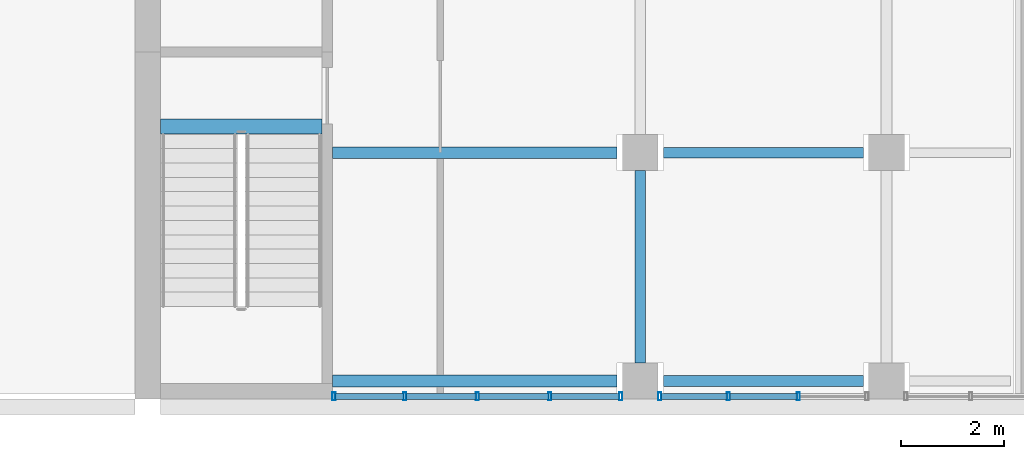
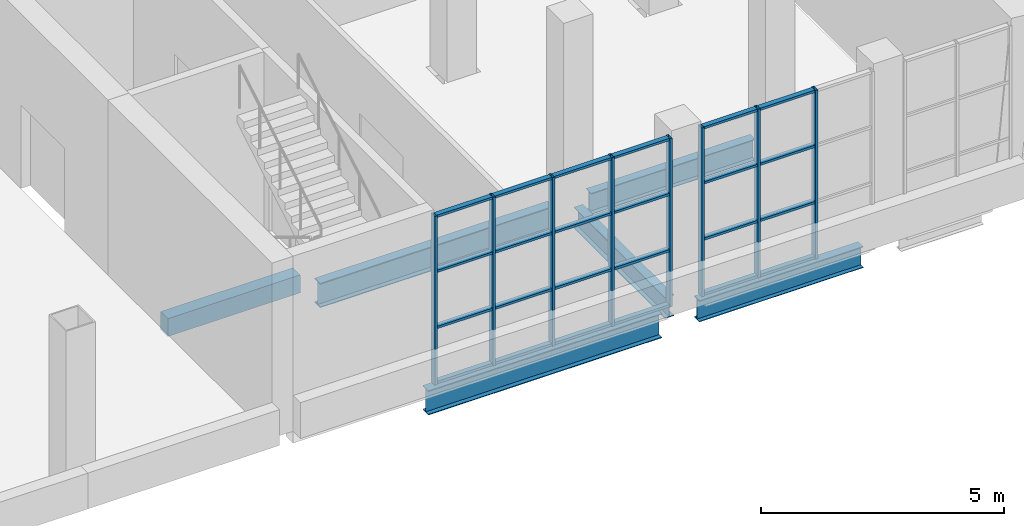
# One storey, part 10 of 32: 32 members, 6 beams, 2 elements without a shape of their own.
"""IFC4 building model written with IfcOpenShell, lengths in metres."""

from ifc_helpers import new_model, si_unit, direction, frame, origin, origin_2d, place, context, subcontext, project, spatial, rectangle, hollow_rectangle, i_section, extrude, material, layer, layer_set, material_profile, profile_set, type_object, element, aggregate, save


model = new_model("IFC4")

# Units and contexts
model_context = context("Model", 3, precision=1e-05, world=origin(), true_north=direction((0.0, 1.0)))
body_context = subcontext(model_context, "Body", "Model", "MODEL_VIEW")
ifc_project = project(units=[si_unit("LENGTHUNIT", "METRE"), si_unit("AREAUNIT", "SQUARE_METRE"), si_unit("VOLUMEUNIT", "CUBIC_METRE"), si_unit("PLANEANGLEUNIT", "RADIAN"), si_unit("MASSUNIT", "GRAM", prefix="KILO")], contexts=[model_context])

# Site, building, storey
site_placement = place(None, origin())
site = spatial("IfcSite", under=ifc_project, at=site_placement, CompositionType="ELEMENT")
building_placement = place(site_placement, origin())
building = spatial("IfcBuilding", under=site, at=building_placement, Name="Baori Bourse Tower", CompositionType="ELEMENT")
storey_placement = place(building_placement, frame((0.0, 0.0, 12.60009765625)))
storey = spatial("IfcBuildingStorey", under=building, at=storey_placement, Name="L01", CompositionType="ELEMENT", Elevation=12.60009765625)

# Beams
ifc_material_1 = material(Name="Concrete f'c 40 MPa", Category="concrete")
ifc_material_profile_1 = material_profile(ifc_material_1, rectangle(XDim=0.300048828125, YDim=0.449951171875, at=origin_2d()), Name="Stair trimmer beam 300x450")
ifc_profile_set_1 = profile_set([ifc_material_profile_1], Name="Concrete f'c 40 MPa")
beam_type_1 = type_object("IfcBeamType", Name="Stair trimmer beam 300x450", PredefinedType="BEAM", material=ifc_profile_set_1)
beam_1_placement = place(storey_placement, frame((57.85009765625, -19.889892578125, -0.525146484375), z_axis=(1.0, 0.0, 0.0), x_axis=(0.0, 1.0, 0.0)))
element("IfcBeam", 1, at=beam_1_placement, inside=storey, type_object=beam_type_1, Name="wing/L01/Etrimmer/002", PredefinedType="BEAM", context=body_context, shape_type="SweptSolid", body=[
    extrude(rectangle(XDim=0.300048828125, YDim=0.449951171875, at=origin_2d()), origin(), (0.0, 0.0, 1.0), 3.14990234375),
])
ifc_material_2 = material(Name="Steel A992 Gr 50", Category="steel")
ifc_material_profile_2 = material_profile(ifc_material_2, i_section(OverallWidth=0.209228515625, OverallDepth=0.533447265625, WebThickness=0.01025390625, FlangeThickness=0.015625, at=origin_2d()), Name="W21x62")
ifc_profile_set_2 = profile_set([ifc_material_profile_2], Name="Steel A992 Gr 50")
beam_type_2 = type_object("IfcBeamType", Name="Wing beam W21x62", PredefinedType="BEAM", material=ifc_profile_set_2)
for number, where, z_axis, x_axis, name in (
    (2, (71.550048828125, -24.85009765625, -0.56689453125), (-1.0, 0.0, 0.0), (0.0, -1.0, 0.0), "wing/L01/Ebeam/002"),
    (3, (71.550048828125, -20.39990234375, -0.56689453125), (-1.0, 0.0, 0.0), (0.0, -1.0, 0.0), "wing/L01/Ebeam/005"),
):
    element("IfcBeam", number, at=place(storey_placement, frame(where, z_axis=z_axis, x_axis=x_axis)), inside=storey, type_object=beam_type_2, Name=name, PredefinedType="BEAM", context=body_context, shape_type="SweptSolid", body=[
        extrude(i_section(OverallWidth=0.209228515625, OverallDepth=0.533447265625, WebThickness=0.01025390625, FlangeThickness=0.015625, at=origin_2d()), origin(), (0.0, 0.0, 1.0), 3.900146484375),
    ])
beam_2_placement = place(storey_placement, frame((67.199951171875, -24.5, -0.56689453125), z_axis=(0.0, 1.0, 0.0), x_axis=(-1.0, 0.0, 0.0)))
element("IfcBeam", 4, at=beam_2_placement, inside=storey, type_object=beam_type_2, Name="wing/L01/Ebeamy/006", PredefinedType="BEAM", context=body_context, shape_type="SweptSolid", body=[
    extrude(i_section(OverallWidth=0.209228515625, OverallDepth=0.533447265625, WebThickness=0.01025390625, FlangeThickness=0.015625, at=origin_2d()), origin(), (0.0, 0.0, 1.0), 3.75),
])
ifc_material_3 = material(Name="Steel A992 Gr 50", Category="steel")
ifc_material_profile_3 = material_profile(ifc_material_3, i_section(OverallWidth=0.22900390625, OverallDepth=0.612060546875, WebThickness=0.011962890625, FlangeThickness=0.01953125, at=origin_2d()), Name="W24x84")
ifc_profile_set_3 = profile_set([ifc_material_profile_3], Name="Steel A992 Gr 50")
beam_type_3 = type_object("IfcBeamType", Name="Wing beam W24x84", PredefinedType="BEAM", material=ifc_profile_set_3)
for number, where, z_axis, x_axis, name in (
    (5, (66.75, -24.85009765625, -0.606201171875), (-1.0, 0.0, 0.0), (0.0, -1.0, 0.0), "wing/L01/Ebeam/003"),
    (6, (66.75, -20.39990234375, -0.606201171875), (-1.0, 0.0, 0.0), (0.0, -1.0, 0.0), "wing/L01/Ebeam/006"),
):
    element("IfcBeam", number, at=place(storey_placement, frame(where, z_axis=z_axis, x_axis=x_axis)), inside=storey, type_object=beam_type_3, Name=name, PredefinedType="BEAM", context=body_context, shape_type="SweptSolid", body=[
        extrude(i_section(OverallWidth=0.22900390625, OverallDepth=0.612060546875, WebThickness=0.011962890625, FlangeThickness=0.01953125, at=origin_2d()), origin(), (0.0, 0.0, 1.0), 5.550048828125),
    ])

# Curtain wall, members
ifc_material_4 = material(Name="Pale anodised aluminium", Category="aluminium")
ifc_layer = layer(ifc_material_4, 0.10009765625)
ifc_layer_set = layer_set([ifc_layer], Name="Wing curtain wall")
curtain_wall_type = type_object("IfcCurtainWallType", Name="Wing curtain wall", PredefinedType="NOTDEFINED", material=ifc_layer_set)
curtain_wall_1_placement = place(storey_placement, origin())
curtain_wall_1 = element("IfcCurtainWall", 7, at=curtain_wall_1_placement, inside=storey, type_object=curtain_wall_type, Name="wing/L01/Ecw/002", PredefinedType="NOTDEFINED")
ifc_material_5 = material(Name="Pale anodised aluminium", Category="aluminium")
ifc_material_profile_4 = material_profile(ifc_material_5, hollow_rectangle(XDim=0.159912109375, YDim=0.06005859375, WallThickness=0.0048828125, at=origin_2d()), Name="Mullion 160x60x5")
ifc_profile_set_4 = profile_set([ifc_material_profile_4], Name="Pale anodised aluminium")
member_type_1 = type_object("IfcMemberType", Name="Wing mullion 60x160", PredefinedType="MULLION", material=ifc_profile_set_4)
member_1_placement = place(storey_placement, frame((67.580078125, -25.14990234375, 0.0), z_axis=(0.0, 0.0, 1.0), x_axis=(0.0, 1.0, 0.0)))
member_1 = element("IfcMember", 8, at=member_1_placement, type_object=member_type_1, Name="X12 mullion 1", PredefinedType="MULLION", context=body_context, shape_type="SweptSolid", body=[
    extrude(hollow_rectangle(XDim=0.159912109375, YDim=0.06005859375, WallThickness=0.0048828125, at=origin_2d()), origin(), (0.0, 0.0, 1.0), 4.239990234375),
])
member_2_placement = place(storey_placement, frame((68.916748046875, -25.14990234375, 0.0), z_axis=(0.0, 0.0, 1.0), x_axis=(0.0, 1.0, 0.0)))
member_2 = element("IfcMember", 9, at=member_2_placement, type_object=member_type_1, Name="X12 mullion 2", PredefinedType="MULLION", context=body_context, shape_type="SweptSolid", body=[
    extrude(hollow_rectangle(XDim=0.159912109375, YDim=0.06005859375, WallThickness=0.0048828125, at=origin_2d()), origin(), (0.0, 0.0, 1.0), 4.239990234375),
])
member_3_placement = place(storey_placement, frame((70.283447265625, -25.14990234375, 0.0), z_axis=(0.0, 0.0, 1.0), x_axis=(0.0, 1.0, 0.0)))
member_3 = element("IfcMember", 10, at=member_3_placement, type_object=member_type_1, Name="X12 mullion 3", PredefinedType="MULLION", context=body_context, shape_type="SweptSolid", body=[
    extrude(hollow_rectangle(XDim=0.159912109375, YDim=0.06005859375, WallThickness=0.0048828125, at=origin_2d()), origin(), (0.0, 0.0, 1.0), 4.239990234375),
])

curtain_wall_2_placement = place(storey_placement, origin())
curtain_wall_2 = element("IfcCurtainWall", 11, at=curtain_wall_2_placement, inside=storey, type_object=curtain_wall_type, Name="wing/L01/Ecw/003", PredefinedType="NOTDEFINED")
member_4_placement = place(storey_placement, frame((61.22998046875, -25.14990234375, 0.0), z_axis=(0.0, 0.0, 1.0), x_axis=(0.0, 1.0, 0.0)))
member_4 = element("IfcMember", 12, at=member_4_placement, type_object=member_type_1, Name="X12 mullion 1", PredefinedType="MULLION", context=body_context, shape_type="SweptSolid", body=[
    extrude(hollow_rectangle(XDim=0.159912109375, YDim=0.06005859375, WallThickness=0.0048828125, at=origin_2d()), origin(), (0.0, 0.0, 1.0), 4.239990234375),
])
member_5_placement = place(storey_placement, frame((62.612548828125, -25.14990234375, 0.0), z_axis=(0.0, 0.0, 1.0), x_axis=(0.0, 1.0, 0.0)))
member_5 = element("IfcMember", 13, at=member_5_placement, type_object=member_type_1, Name="X12 mullion 2", PredefinedType="MULLION", context=body_context, shape_type="SweptSolid", body=[
    extrude(hollow_rectangle(XDim=0.159912109375, YDim=0.06005859375, WallThickness=0.0048828125, at=origin_2d()), origin(), (0.0, 0.0, 1.0), 4.239990234375),
])
member_6_placement = place(storey_placement, frame((64.02490234375, -25.14990234375, 0.0), z_axis=(0.0, 0.0, 1.0), x_axis=(0.0, 1.0, 0.0)))
member_6 = element("IfcMember", 14, at=member_6_placement, type_object=member_type_1, Name="X12 mullion 3", PredefinedType="MULLION", context=body_context, shape_type="SweptSolid", body=[
    extrude(hollow_rectangle(XDim=0.159912109375, YDim=0.06005859375, WallThickness=0.0048828125, at=origin_2d()), origin(), (0.0, 0.0, 1.0), 4.239990234375),
])
member_7_placement = place(storey_placement, frame((65.4375, -25.14990234375, 0.0), z_axis=(0.0, 0.0, 1.0), x_axis=(0.0, 1.0, 0.0)))
member_7 = element("IfcMember", 15, at=member_7_placement, type_object=member_type_1, Name="X12 mullion 4", PredefinedType="MULLION", context=body_context, shape_type="SweptSolid", body=[
    extrude(hollow_rectangle(XDim=0.159912109375, YDim=0.06005859375, WallThickness=0.0048828125, at=origin_2d()), origin(), (0.0, 0.0, 1.0), 4.239990234375),
])
member_8_placement = place(storey_placement, frame((66.820068359375, -25.14990234375, 0.0), z_axis=(0.0, 0.0, 1.0), x_axis=(0.0, 1.0, 0.0)))
member_8 = element("IfcMember", 16, at=member_8_placement, type_object=member_type_1, Name="X12 mullion 5", PredefinedType="MULLION", context=body_context, shape_type="SweptSolid", body=[
    extrude(hollow_rectangle(XDim=0.159912109375, YDim=0.06005859375, WallThickness=0.0048828125, at=origin_2d()), origin(), (0.0, 0.0, 1.0), 4.239990234375),
])

# Member
ifc_material_6 = material(Name="Pale anodised aluminium", Category="aluminium")
ifc_material_profile_5 = material_profile(ifc_material_6, hollow_rectangle(XDim=0.1201171875, YDim=0.06005859375, WallThickness=0.0048828125, at=origin_2d()), Name="Transom 120x60x5")
ifc_profile_set_5 = profile_set([ifc_material_profile_5], Name="Pale anodised aluminium")
member_type_2 = type_object("IfcMemberType", Name="Wing transom 120x60", PredefinedType="USERDEFINED", material=ifc_profile_set_5)
member_9_placement = place(storey_placement, frame((67.610107421875, -25.14990234375, 0.02978515625), z_axis=(1.0, 0.0, 0.0), x_axis=(0.0, 1.0, 0.0)))
member_9 = element("IfcMember", 17, at=member_9_placement, type_object=member_type_2, Name="X12 transom 1.1", ObjectType="TRANSOM", PredefinedType="USERDEFINED", context=body_context, shape_type="SweptSolid", body=[
    extrude(hollow_rectangle(XDim=0.1201171875, YDim=0.06005859375, WallThickness=0.0048828125, at=origin_2d()), origin(), (0.0, 0.0, 1.0), 1.276611328125),
])

member_10_placement = place(storey_placement, frame((67.610107421875, -25.14990234375, 1.413330078125), z_axis=(1.0, 0.0, 0.0), x_axis=(0.0, 1.0, 0.0)))
member_10 = element("IfcMember", 18, at=member_10_placement, type_object=member_type_2, Name="X12 transom 1.2", ObjectType="TRANSOM", PredefinedType="USERDEFINED", context=body_context, shape_type="SweptSolid", body=[
    extrude(hollow_rectangle(XDim=0.1201171875, YDim=0.06005859375, WallThickness=0.0048828125, at=origin_2d()), origin(), (0.0, 0.0, 1.0), 1.276611328125),
])

member_11_placement = place(storey_placement, frame((67.610107421875, -25.14990234375, 2.82666015625), z_axis=(1.0, 0.0, 0.0), x_axis=(0.0, 1.0, 0.0)))
member_11 = element("IfcMember", 19, at=member_11_placement, type_object=member_type_2, Name="X12 transom 1.3", ObjectType="TRANSOM", PredefinedType="USERDEFINED", context=body_context, shape_type="SweptSolid", body=[
    extrude(hollow_rectangle(XDim=0.1201171875, YDim=0.06005859375, WallThickness=0.0048828125, at=origin_2d()), origin(), (0.0, 0.0, 1.0), 1.276611328125),
])

member_12_placement = place(storey_placement, frame((67.610107421875, -25.14990234375, 4.2099609375), z_axis=(1.0, 0.0, 0.0), x_axis=(0.0, 1.0, 0.0)))
member_12 = element("IfcMember", 20, at=member_12_placement, type_object=member_type_2, Name="X12 transom 1.4", ObjectType="TRANSOM", PredefinedType="USERDEFINED", context=body_context, shape_type="SweptSolid", body=[
    extrude(hollow_rectangle(XDim=0.1201171875, YDim=0.06005859375, WallThickness=0.0048828125, at=origin_2d()), origin(), (0.0, 0.0, 1.0), 1.276611328125),
])

member_13_placement = place(storey_placement, frame((68.94677734375, -25.14990234375, 0.02978515625), z_axis=(1.0, 0.0, 0.0), x_axis=(0.0, 1.0, 0.0)))
member_13 = element("IfcMember", 21, at=member_13_placement, type_object=member_type_2, Name="X12 transom 2.1", ObjectType="TRANSOM", PredefinedType="USERDEFINED", context=body_context, shape_type="SweptSolid", body=[
    extrude(hollow_rectangle(XDim=0.1201171875, YDim=0.06005859375, WallThickness=0.0048828125, at=origin_2d()), origin(), (0.0, 0.0, 1.0), 1.306640625),
])

member_14_placement = place(storey_placement, frame((68.94677734375, -25.14990234375, 1.413330078125), z_axis=(1.0, 0.0, 0.0), x_axis=(0.0, 1.0, 0.0)))
member_14 = element("IfcMember", 22, at=member_14_placement, type_object=member_type_2, Name="X12 transom 2.2", ObjectType="TRANSOM", PredefinedType="USERDEFINED", context=body_context, shape_type="SweptSolid", body=[
    extrude(hollow_rectangle(XDim=0.1201171875, YDim=0.06005859375, WallThickness=0.0048828125, at=origin_2d()), origin(), (0.0, 0.0, 1.0), 1.306640625),
])

member_15_placement = place(storey_placement, frame((68.94677734375, -25.14990234375, 2.82666015625), z_axis=(1.0, 0.0, 0.0), x_axis=(0.0, 1.0, 0.0)))
member_15 = element("IfcMember", 23, at=member_15_placement, type_object=member_type_2, Name="X12 transom 2.3", ObjectType="TRANSOM", PredefinedType="USERDEFINED", context=body_context, shape_type="SweptSolid", body=[
    extrude(hollow_rectangle(XDim=0.1201171875, YDim=0.06005859375, WallThickness=0.0048828125, at=origin_2d()), origin(), (0.0, 0.0, 1.0), 1.306640625),
])

member_16_placement = place(storey_placement, frame((68.94677734375, -25.14990234375, 4.2099609375), z_axis=(1.0, 0.0, 0.0), x_axis=(0.0, 1.0, 0.0)))
member_16 = element("IfcMember", 24, at=member_16_placement, type_object=member_type_2, Name="X12 transom 2.4", ObjectType="TRANSOM", PredefinedType="USERDEFINED", context=body_context, shape_type="SweptSolid", body=[
    extrude(hollow_rectangle(XDim=0.1201171875, YDim=0.06005859375, WallThickness=0.0048828125, at=origin_2d()), origin(), (0.0, 0.0, 1.0), 1.306640625),
])

aggregate(curtain_wall_1, [member_1, member_2, member_3, member_9, member_10, member_11, member_12, member_13, member_14, member_15, member_16])

member_17_placement = place(storey_placement, frame((61.260009765625, -25.14990234375, 0.02978515625), z_axis=(1.0, 0.0, 0.0), x_axis=(0.0, 1.0, 0.0)))
member_17 = element("IfcMember", 25, at=member_17_placement, type_object=member_type_2, Name="X12 transom 1.1", ObjectType="TRANSOM", PredefinedType="USERDEFINED", context=body_context, shape_type="SweptSolid", body=[
    extrude(hollow_rectangle(XDim=0.1201171875, YDim=0.06005859375, WallThickness=0.0048828125, at=origin_2d()), origin(), (0.0, 0.0, 1.0), 1.322509765625),
])

member_18_placement = place(storey_placement, frame((61.260009765625, -25.14990234375, 1.413330078125), z_axis=(1.0, 0.0, 0.0), x_axis=(0.0, 1.0, 0.0)))
member_18 = element("IfcMember", 26, at=member_18_placement, type_object=member_type_2, Name="X12 transom 1.2", ObjectType="TRANSOM", PredefinedType="USERDEFINED", context=body_context, shape_type="SweptSolid", body=[
    extrude(hollow_rectangle(XDim=0.1201171875, YDim=0.06005859375, WallThickness=0.0048828125, at=origin_2d()), origin(), (0.0, 0.0, 1.0), 1.322509765625),
])

member_19_placement = place(storey_placement, frame((61.260009765625, -25.14990234375, 2.82666015625), z_axis=(1.0, 0.0, 0.0), x_axis=(0.0, 1.0, 0.0)))
member_19 = element("IfcMember", 27, at=member_19_placement, type_object=member_type_2, Name="X12 transom 1.3", ObjectType="TRANSOM", PredefinedType="USERDEFINED", context=body_context, shape_type="SweptSolid", body=[
    extrude(hollow_rectangle(XDim=0.1201171875, YDim=0.06005859375, WallThickness=0.0048828125, at=origin_2d()), origin(), (0.0, 0.0, 1.0), 1.322509765625),
])

member_20_placement = place(storey_placement, frame((61.260009765625, -25.14990234375, 4.2099609375), z_axis=(1.0, 0.0, 0.0), x_axis=(0.0, 1.0, 0.0)))
member_20 = element("IfcMember", 28, at=member_20_placement, type_object=member_type_2, Name="X12 transom 1.4", ObjectType="TRANSOM", PredefinedType="USERDEFINED", context=body_context, shape_type="SweptSolid", body=[
    extrude(hollow_rectangle(XDim=0.1201171875, YDim=0.06005859375, WallThickness=0.0048828125, at=origin_2d()), origin(), (0.0, 0.0, 1.0), 1.322509765625),
])

member_21_placement = place(storey_placement, frame((62.642578125, -25.14990234375, 0.02978515625), z_axis=(1.0, 0.0, 0.0), x_axis=(0.0, 1.0, 0.0)))
member_21 = element("IfcMember", 29, at=member_21_placement, type_object=member_type_2, Name="X12 transom 2.1", ObjectType="TRANSOM", PredefinedType="USERDEFINED", context=body_context, shape_type="SweptSolid", body=[
    extrude(hollow_rectangle(XDim=0.1201171875, YDim=0.06005859375, WallThickness=0.0048828125, at=origin_2d()), origin(), (0.0, 0.0, 1.0), 1.3525390625),
])

member_22_placement = place(storey_placement, frame((62.642578125, -25.14990234375, 1.413330078125), z_axis=(1.0, 0.0, 0.0), x_axis=(0.0, 1.0, 0.0)))
member_22 = element("IfcMember", 30, at=member_22_placement, type_object=member_type_2, Name="X12 transom 2.2", ObjectType="TRANSOM", PredefinedType="USERDEFINED", context=body_context, shape_type="SweptSolid", body=[
    extrude(hollow_rectangle(XDim=0.1201171875, YDim=0.06005859375, WallThickness=0.0048828125, at=origin_2d()), origin(), (0.0, 0.0, 1.0), 1.3525390625),
])

member_23_placement = place(storey_placement, frame((62.642578125, -25.14990234375, 2.82666015625), z_axis=(1.0, 0.0, 0.0), x_axis=(0.0, 1.0, 0.0)))
member_23 = element("IfcMember", 31, at=member_23_placement, type_object=member_type_2, Name="X12 transom 2.3", ObjectType="TRANSOM", PredefinedType="USERDEFINED", context=body_context, shape_type="SweptSolid", body=[
    extrude(hollow_rectangle(XDim=0.1201171875, YDim=0.06005859375, WallThickness=0.0048828125, at=origin_2d()), origin(), (0.0, 0.0, 1.0), 1.3525390625),
])

member_24_placement = place(storey_placement, frame((62.642578125, -25.14990234375, 4.2099609375), z_axis=(1.0, 0.0, 0.0), x_axis=(0.0, 1.0, 0.0)))
member_24 = element("IfcMember", 32, at=member_24_placement, type_object=member_type_2, Name="X12 transom 2.4", ObjectType="TRANSOM", PredefinedType="USERDEFINED", context=body_context, shape_type="SweptSolid", body=[
    extrude(hollow_rectangle(XDim=0.1201171875, YDim=0.06005859375, WallThickness=0.0048828125, at=origin_2d()), origin(), (0.0, 0.0, 1.0), 1.3525390625),
])

member_25_placement = place(storey_placement, frame((64.054931640625, -25.14990234375, 0.02978515625), z_axis=(1.0, 0.0, 0.0), x_axis=(0.0, 1.0, 0.0)))
member_25 = element("IfcMember", 33, at=member_25_placement, type_object=member_type_2, Name="X12 transom 3.1", ObjectType="TRANSOM", PredefinedType="USERDEFINED", context=body_context, shape_type="SweptSolid", body=[
    extrude(hollow_rectangle(XDim=0.1201171875, YDim=0.06005859375, WallThickness=0.0048828125, at=origin_2d()), origin(), (0.0, 0.0, 1.0), 1.3525390625),
])

member_26_placement = place(storey_placement, frame((64.054931640625, -25.14990234375, 1.413330078125), z_axis=(1.0, 0.0, 0.0), x_axis=(0.0, 1.0, 0.0)))
member_26 = element("IfcMember", 34, at=member_26_placement, type_object=member_type_2, Name="X12 transom 3.2", ObjectType="TRANSOM", PredefinedType="USERDEFINED", context=body_context, shape_type="SweptSolid", body=[
    extrude(hollow_rectangle(XDim=0.1201171875, YDim=0.06005859375, WallThickness=0.0048828125, at=origin_2d()), origin(), (0.0, 0.0, 1.0), 1.3525390625),
])

member_27_placement = place(storey_placement, frame((64.054931640625, -25.14990234375, 2.82666015625), z_axis=(1.0, 0.0, 0.0), x_axis=(0.0, 1.0, 0.0)))
member_27 = element("IfcMember", 35, at=member_27_placement, type_object=member_type_2, Name="X12 transom 3.3", ObjectType="TRANSOM", PredefinedType="USERDEFINED", context=body_context, shape_type="SweptSolid", body=[
    extrude(hollow_rectangle(XDim=0.1201171875, YDim=0.06005859375, WallThickness=0.0048828125, at=origin_2d()), origin(), (0.0, 0.0, 1.0), 1.3525390625),
])

member_28_placement = place(storey_placement, frame((64.054931640625, -25.14990234375, 4.2099609375), z_axis=(1.0, 0.0, 0.0), x_axis=(0.0, 1.0, 0.0)))
member_28 = element("IfcMember", 36, at=member_28_placement, type_object=member_type_2, Name="X12 transom 3.4", ObjectType="TRANSOM", PredefinedType="USERDEFINED", context=body_context, shape_type="SweptSolid", body=[
    extrude(hollow_rectangle(XDim=0.1201171875, YDim=0.06005859375, WallThickness=0.0048828125, at=origin_2d()), origin(), (0.0, 0.0, 1.0), 1.3525390625),
])

member_29_placement = place(storey_placement, frame((65.467529296875, -25.14990234375, 0.02978515625), z_axis=(1.0, 0.0, 0.0), x_axis=(0.0, 1.0, 0.0)))
member_29 = element("IfcMember", 37, at=member_29_placement, type_object=member_type_2, Name="X12 transom 4.1", ObjectType="TRANSOM", PredefinedType="USERDEFINED", context=body_context, shape_type="SweptSolid", body=[
    extrude(hollow_rectangle(XDim=0.1201171875, YDim=0.06005859375, WallThickness=0.0048828125, at=origin_2d()), origin(), (0.0, 0.0, 1.0), 1.322509765625),
])

member_30_placement = place(storey_placement, frame((65.467529296875, -25.14990234375, 1.413330078125), z_axis=(1.0, 0.0, 0.0), x_axis=(0.0, 1.0, 0.0)))
member_30 = element("IfcMember", 38, at=member_30_placement, type_object=member_type_2, Name="X12 transom 4.2", ObjectType="TRANSOM", PredefinedType="USERDEFINED", context=body_context, shape_type="SweptSolid", body=[
    extrude(hollow_rectangle(XDim=0.1201171875, YDim=0.06005859375, WallThickness=0.0048828125, at=origin_2d()), origin(), (0.0, 0.0, 1.0), 1.322509765625),
])

member_31_placement = place(storey_placement, frame((65.467529296875, -25.14990234375, 2.82666015625), z_axis=(1.0, 0.0, 0.0), x_axis=(0.0, 1.0, 0.0)))
member_31 = element("IfcMember", 39, at=member_31_placement, type_object=member_type_2, Name="X12 transom 4.3", ObjectType="TRANSOM", PredefinedType="USERDEFINED", context=body_context, shape_type="SweptSolid", body=[
    extrude(hollow_rectangle(XDim=0.1201171875, YDim=0.06005859375, WallThickness=0.0048828125, at=origin_2d()), origin(), (0.0, 0.0, 1.0), 1.322509765625),
])

member_32_placement = place(storey_placement, frame((65.467529296875, -25.14990234375, 4.2099609375), z_axis=(1.0, 0.0, 0.0), x_axis=(0.0, 1.0, 0.0)))
member_32 = element("IfcMember", 40, at=member_32_placement, type_object=member_type_2, Name="X12 transom 4.4", ObjectType="TRANSOM", PredefinedType="USERDEFINED", context=body_context, shape_type="SweptSolid", body=[
    extrude(hollow_rectangle(XDim=0.1201171875, YDim=0.06005859375, WallThickness=0.0048828125, at=origin_2d()), origin(), (0.0, 0.0, 1.0), 1.322509765625),
])

aggregate(curtain_wall_2, [member_4, member_5, member_6, member_7, member_8, member_17, member_18, member_19, member_20, member_21, member_22, member_23, member_24, member_25, member_26, member_27, member_28, member_29, member_30, member_31, member_32])

save(model, "model.ifc")
